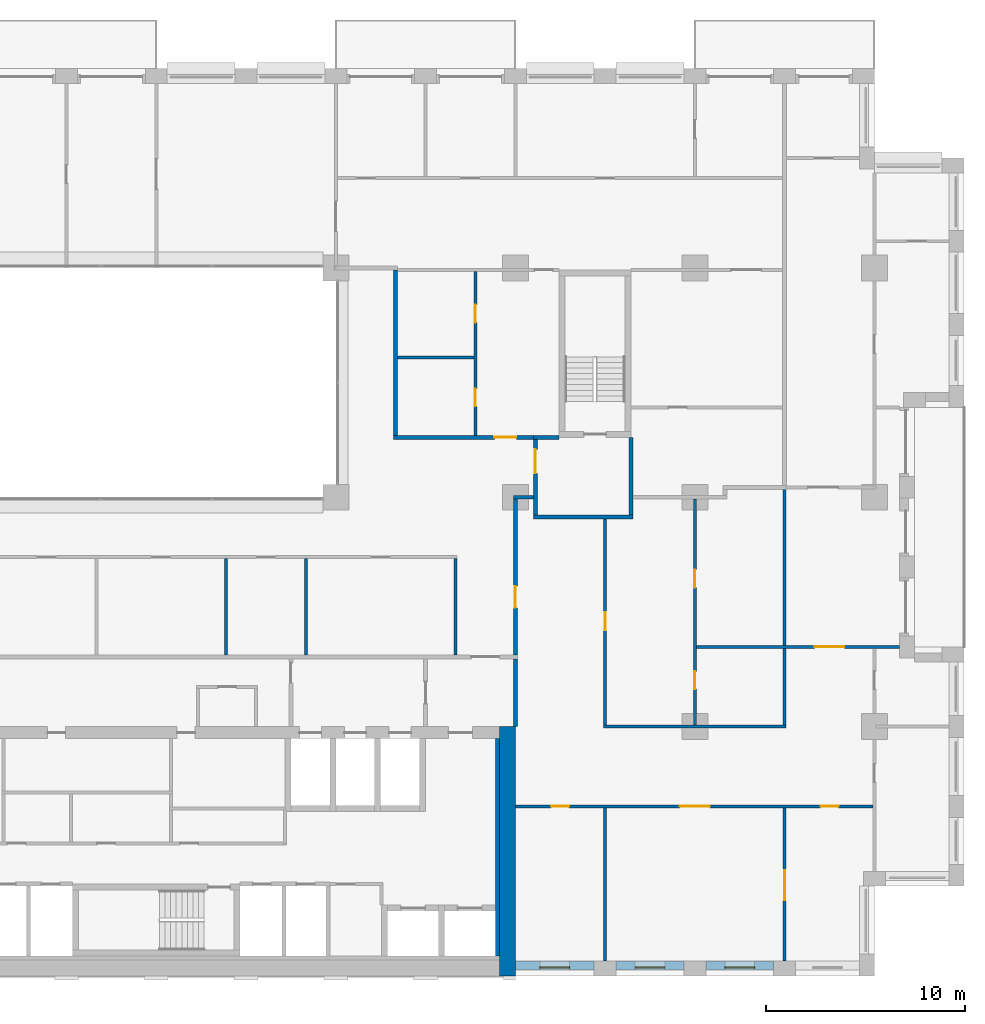
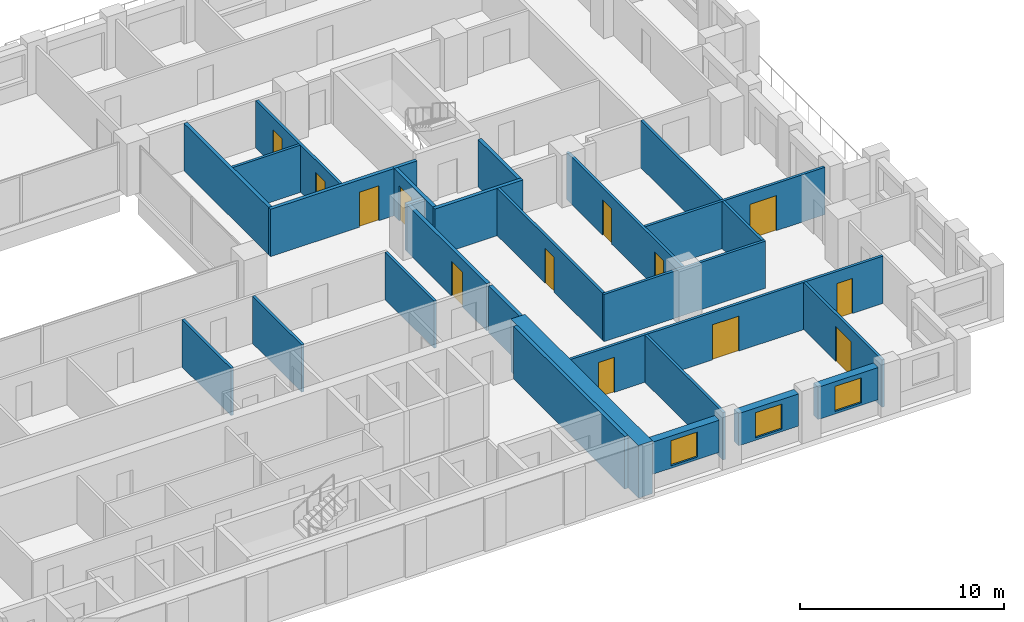
# One storey, part 11 of 16: 28 walls, 13 doors, 3 windows, 16 openings.
"""IFC4 building model written with IfcOpenShell, lengths in metres."""

from ifc_helpers import new_model, si_unit, direction, frame, frame_2d, origin, place, context, subcontext, project, spatial, rectangle, extrude, material, layer, layer_set, type_object, element, fill, save


model = new_model("IFC4")

# Units and contexts
model_context = context("Model", 3, precision=1e-05, world=origin(), true_north=direction((0.0, 1.0)))
body_context = subcontext(model_context, "Body", "Model", "MODEL_VIEW")
ifc_project = project(units=[si_unit("LENGTHUNIT", "METRE"), si_unit("AREAUNIT", "SQUARE_METRE"), si_unit("VOLUMEUNIT", "CUBIC_METRE"), si_unit("PLANEANGLEUNIT", "RADIAN"), si_unit("MASSUNIT", "GRAM", prefix="KILO")], contexts=[model_context])

# Site, building, storey
site_placement = place(None, origin())
site = spatial("IfcSite", under=ifc_project, at=site_placement, CompositionType="ELEMENT")
building_placement = place(site_placement, origin())
building = spatial("IfcBuilding", under=site, at=building_placement, Name="Brigalow Station Residences", CompositionType="ELEMENT")
storey_placement = place(building_placement, frame((0.0, 0.0, 121.35009765625)))
storey = spatial("IfcBuildingStorey", under=building, at=storey_placement, Name="L35", CompositionType="ELEMENT", Elevation=121.35009765625)

# Wall, opening, window
ifc_material_1 = material(Name="Clay brick masonry", Category="masonry")
ifc_layer_1 = layer(ifc_material_1, 0.449951171875)
ifc_layer_set_1 = layer_set([ifc_layer_1], Name="BRICK INFILL WALL 450")
wall_type_1 = type_object("IfcWallType", Name="BRICK INFILL WALL 450", PredefinedType="SOLIDWALL", material=ifc_layer_set_1)
wall_1_placement = place(storey_placement, frame((54.0, 0.52490234375, 0.89990234375), z_axis=(0.0, 0.0, 1.0), x_axis=(1.0, 0.0, 0.0)))
wall_1 = element("IfcWall", 1, at=wall_1_placement, inside=storey, type_object=wall_type_1, Name="L35/ewall/W-L35-4", PredefinedType="SOLIDWALL", context=body_context, shape_type="SweptSolid", body=[
    extrude(rectangle(XDim=3.949951171875, YDim=0.449951171875, at=frame_2d((1.97509765625, 0.0))), origin(), (0.0, 0.0, 1.0), 1.929931640625),
])
opening_1_placement = place(wall_1_placement, frame((1.22509765625, 0.0, 0.14990234375)))
opening_1 = element("IfcOpeningElement", 2, at=opening_1_placement, cuts=wall_1, Name="Opening WT-1", PredefinedType="OPENING", context=body_context, shape_type="SweptSolid", body=[
    extrude(rectangle(XDim=1.5, YDim=1.5, at=frame_2d((0.75, 0.75))), frame((0.0, 0.23486328125, 0.0), z_axis=(0.0, -1.0, 0.0), x_axis=(1.0, 0.0, 0.0)), (0.0, 0.0, 1.0), 0.469970703125),
])
ifc_material_2 = material(Name="Anodised aluminium frame with double glazing", Category="aluminium")
window_type = type_object("IfcWindowType", Name="WINDOW 1500x1500", PartitioningType="SINGLE_PANEL", PredefinedType="WINDOW", material=ifc_material_2)
window_1_placement = place(opening_1_placement, origin())
window_1 = element("IfcWindow", 3, at=window_1_placement, inside=storey, type_object=window_type, Name="L35/window/W-L35-4", OverallHeight=1.5, OverallWidth=1.5, PartitioningType="SINGLE_PANEL", PredefinedType="WINDOW", context=body_context, shape_type="SweptSolid", body=[
    extrude(rectangle(XDim=1.5, YDim=1.5, at=frame_2d((0.75, 0.75))), frame((0.0, -0.06494140625, 0.0), z_axis=(0.0, -1.0, 0.0), x_axis=(1.0, 0.0, 0.0)), (0.0, 0.0, 1.0), 0.06005859375),
])
fill(opening_1, window_1)

wall_2_placement = place(storey_placement, frame((59.050048828125, 0.52490234375, 0.89990234375), z_axis=(0.0, 0.0, 1.0), x_axis=(1.0, 0.0, 0.0)))
wall_2 = element("IfcWall", 4, at=wall_2_placement, inside=storey, type_object=wall_type_1, Name="L35/ewall/W-L35-5", PredefinedType="SOLIDWALL", context=body_context, shape_type="SweptSolid", body=[
    extrude(rectangle(XDim=3.39990234375, YDim=0.449951171875, at=frame_2d((1.699951171875, 0.0))), origin(), (0.0, 0.0, 1.0), 1.929931640625),
])
opening_2_placement = place(wall_2_placement, frame((0.949951171875, 0.0, 0.14990234375)))
opening_2 = element("IfcOpeningElement", 5, at=opening_2_placement, cuts=wall_2, Name="Opening WT-1", PredefinedType="OPENING", context=body_context, shape_type="SweptSolid", body=[
    extrude(rectangle(XDim=1.5, YDim=1.5, at=frame_2d((0.75, 0.75))), frame((0.0, 0.23486328125, 0.0), z_axis=(0.0, -1.0, 0.0), x_axis=(1.0, 0.0, 0.0)), (0.0, 0.0, 1.0), 0.469970703125),
])
window_2_placement = place(opening_2_placement, origin())
window_2 = element("IfcWindow", 6, at=window_2_placement, inside=storey, type_object=window_type, Name="L35/window/W-L35-5", OverallHeight=1.5, OverallWidth=1.5, PartitioningType="SINGLE_PANEL", PredefinedType="WINDOW", context=body_context, shape_type="SweptSolid", body=[
    extrude(rectangle(XDim=1.5, YDim=1.5, at=frame_2d((0.75, 0.75))), frame((0.0, -0.06494140625, 0.0), z_axis=(0.0, -1.0, 0.0), x_axis=(1.0, 0.0, 0.0)), (0.0, 0.0, 1.0), 0.06005859375),
])
fill(opening_2, window_2)

wall_3_placement = place(storey_placement, frame((63.550048828125, 0.52490234375, 0.89990234375), z_axis=(0.0, 0.0, 1.0), x_axis=(1.0, 0.0, 0.0)))
wall_3 = element("IfcWall", 7, at=wall_3_placement, inside=storey, type_object=wall_type_1, Name="L35/ewall/W-L35-6", PredefinedType="SOLIDWALL", context=body_context, shape_type="SweptSolid", body=[
    extrude(rectangle(XDim=3.39990234375, YDim=0.449951171875, at=frame_2d((1.699951171875, 0.0))), origin(), (0.0, 0.0, 1.0), 1.929931640625),
])
opening_3_placement = place(wall_3_placement, frame((0.949951171875, 0.0, 0.14990234375)))
opening_3 = element("IfcOpeningElement", 8, at=opening_3_placement, cuts=wall_3, Name="Opening WT-1", PredefinedType="OPENING", context=body_context, shape_type="SweptSolid", body=[
    extrude(rectangle(XDim=1.5, YDim=1.5, at=frame_2d((0.75, 0.75))), frame((0.0, 0.23486328125, 0.0), z_axis=(0.0, -1.0, 0.0), x_axis=(1.0, 0.0, 0.0)), (0.0, 0.0, 1.0), 0.469970703125),
])
window_3_placement = place(opening_3_placement, origin())
window_3 = element("IfcWindow", 9, at=window_3_placement, inside=storey, type_object=window_type, Name="L35/window/W-L35-6", OverallHeight=1.5, OverallWidth=1.5, PartitioningType="SINGLE_PANEL", PredefinedType="WINDOW", context=body_context, shape_type="SweptSolid", body=[
    extrude(rectangle(XDim=1.5, YDim=1.5, at=frame_2d((0.75, 0.75))), frame((0.0, -0.06494140625, 0.0), z_axis=(0.0, -1.0, 0.0), x_axis=(1.0, 0.0, 0.0)), (0.0, 0.0, 1.0), 0.06005859375),
])
fill(opening_3, window_3)

# Walls
ifc_material_3 = material(Name="Concrete C65", Category="concrete")
ifc_layer_2 = layer(ifc_material_3, 0.199951171875)
ifc_layer_set_2 = layer_set([ifc_layer_2], Name="CORE SHEAR WALL 200 C65")
wall_type_2 = type_object("IfcWallType", Name="CORE SHEAR WALL 200 C65", PredefinedType="SHEAR", material=ifc_layer_set_2)
wall_4_placement = place(storey_placement, frame((53.10009765625, 1.0, 0.0), z_axis=(0.0, 0.0, 1.0), x_axis=(0.0, 1.0, 0.0)))
element("IfcWall", 10, at=wall_4_placement, inside=storey, type_object=wall_type_2, Name="CORE WALL LIN-E L35", PredefinedType="SHEAR", context=body_context, shape_type="SweptSolid", body=[
    extrude(rectangle(XDim=10.89990234375, YDim=0.199951171875, at=frame_2d((5.449951171875, 0.0))), origin(), (0.0, 0.0, 1.0), 3.14990234375),
])
ifc_material_4 = material(Name="Concrete C65", Category="concrete")
ifc_layer_3 = layer(ifc_material_4, 0.800048828125)
ifc_layer_set_3 = layer_set([ifc_layer_3], Name="CORE SHEAR WALL 800 C65")
wall_type_3 = type_object("IfcWallType", Name="CORE SHEAR WALL 800 C65", PredefinedType="SHEAR", material=ifc_layer_set_3)
wall_5_placement = place(storey_placement, frame((53.60009765625, 0.0, 0.0), z_axis=(0.0, 0.0, 1.0), x_axis=(0.0, 1.0, 0.0)))
element("IfcWall", 11, at=wall_5_placement, inside=storey, type_object=wall_type_3, Name="CORE WALL OUT-E L35", PredefinedType="SHEAR", context=body_context, shape_type="SweptSolid", body=[
    extrude(rectangle(XDim=12.5, YDim=0.800048828125, at=frame_2d((6.25, 0.0))), origin(), (0.0, 0.0, 1.0), 3.14990234375),
])
ifc_material_5 = material(Name="Concrete blockwork", Category="masonry")
ifc_layer_4 = layer(ifc_material_5, 0.199951171875)
ifc_layer_set_4 = layer_set([ifc_layer_4], Name="FIRE RATED CORE PARTITION 200")
wall_type_4 = type_object("IfcWallType", Name="FIRE RATED CORE PARTITION 200", PredefinedType="PARTITIONING", material=ifc_layer_set_4)
wall_6_placement = place(storey_placement, frame((54.89990234375, 23.0, 0.0), z_axis=(0.0, 0.0, 1.0), x_axis=(1.0, 0.0, 0.0)))
element("IfcWall", 12, at=wall_6_placement, inside=storey, type_object=wall_type_4, Name="PW-5024", PredefinedType="PARTITIONING", context=body_context, shape_type="SweptSolid", body=[
    extrude(rectangle(XDim=5.0, YDim=0.199951171875, at=frame_2d((2.5, 0.0))), origin(), (0.0, 0.0, 1.0), 2.829833984375),
])
wall_7_placement = place(storey_placement, frame((54.89990234375, 27.0, 0.0), z_axis=(0.0, 0.0, 1.0), x_axis=(1.0, 0.0, 0.0)))
element("IfcWall", 13, at=wall_7_placement, inside=storey, type_object=wall_type_4, Name="PW-5026", PredefinedType="PARTITIONING", context=body_context, shape_type="SweptSolid", body=[
    extrude(rectangle(XDim=1.300048828125, YDim=0.199951171875, at=frame_2d((0.64990234375, 0.0))), origin(), (0.0, 0.0, 1.0), 2.829833984375),
])
wall_8_placement = place(storey_placement, frame((54.0, 12.5, 0.0), z_axis=(0.0, 0.0, 1.0), x_axis=(0.0, 1.0, 0.0)))
element("IfcWall", 14, at=wall_8_placement, inside=storey, type_object=wall_type_4, Name="PW-5016", PredefinedType="PARTITIONING", context=body_context, shape_type="SweptSolid", body=[
    extrude(rectangle(XDim=3.39990234375, YDim=0.199951171875, at=frame_2d((1.699951171875, 0.0))), origin(), (0.0, 0.0, 1.0), 2.829833984375),
])

# Wall, opening, door
wall_9_placement = place(storey_placement, frame((55.0, 23.10009765625, 0.0), z_axis=(0.0, 0.0, 1.0), x_axis=(0.0, 1.0, 0.0)))
wall_9 = element("IfcWall", 15, at=wall_9_placement, inside=storey, type_object=wall_type_4, Name="PW-5036", PredefinedType="PARTITIONING", context=body_context, shape_type="SweptSolid", body=[
    extrude(rectangle(XDim=3.7998046875, YDim=0.199951171875, at=frame_2d((1.89990234375, 0.0))), origin(), (0.0, 0.0, 1.0), 2.829833984375),
])
opening_4_placement = place(wall_9_placement, frame((2.10009765625, 0.0, 0.0)))
opening_4 = element("IfcOpeningElement", 16, at=opening_4_placement, cuts=wall_9, Name="Opening D-5019", PredefinedType="OPENING", context=body_context, shape_type="SweptSolid", body=[
    extrude(rectangle(XDim=1.199951171875, YDim=2.10009765625, at=frame_2d((0.60009765625, 1.050048828125))), frame((0.0, 0.10986328125, 0.0), z_axis=(0.0, -1.0, 0.0), x_axis=(1.0, 0.0, 0.0)), (0.0, 0.0, 1.0), 0.219970703125),
])
ifc_material_6 = material(Name="Steel fire door leaf in steel frame", Category="steel")
door_type_1 = type_object("IfcDoorType", Name="STAIR LOBBY DOOR 1200 x 2100 FD60S", OperationType="SINGLE_SWING_LEFT", PredefinedType="DOOR", material=ifc_material_6)
door_1_placement = place(opening_4_placement, frame((1.199951171875, 0.0, 0.0), z_axis=(0.0, 0.0, 1.0), x_axis=(-1.0, 0.0, 0.0)))
door_1 = element("IfcDoor", 17, at=door_1_placement, inside=storey, type_object=door_type_1, Name="D-5019", OperationType="SINGLE_SWING_LEFT", OverallHeight=2.10009765625, OverallWidth=1.199951171875, PredefinedType="DOOR", context=body_context, shape_type="SweptSolid", body=[
    extrude(rectangle(XDim=1.199951171875, YDim=2.10009765625, at=frame_2d((0.60009765625, 1.050048828125))), frame((0.0, 0.02490234375, 0.0), z_axis=(0.0, -1.0, 0.0), x_axis=(1.0, 0.0, 0.0)), (0.0, 0.0, 1.0), 0.050048828125),
])
fill(opening_4, door_1)

# Walls
wall_10_placement = place(storey_placement, frame((59.800048828125, 23.10009765625, 0.0), z_axis=(0.0, 0.0, 1.0), x_axis=(0.0, 1.0, 0.0)))
element("IfcWall", 18, at=wall_10_placement, inside=storey, type_object=wall_type_4, Name="PW-5037", PredefinedType="PARTITIONING", context=body_context, shape_type="SweptSolid", body=[
    extrude(rectangle(XDim=3.89990234375, YDim=0.199951171875, at=frame_2d((1.949951171875, 0.0))), origin(), (0.0, 0.0, 1.0), 2.829833984375),
])
ifc_material_7 = material(Name="Plasterboard on steel stud partition", Category="steel")
ifc_layer_5 = layer(ifc_material_7, 0.14990234375)
ifc_layer_set_5 = layer_set([ifc_layer_5], Name="FLAT PARTITION 150")
wall_type_5 = type_object("IfcWallType", Name="FLAT PARTITION 150", PredefinedType="PARTITIONING", material=ifc_layer_set_5)
wall_11_placement = place(storey_placement, frame((58.425048828125, 12.5, 0.0), z_axis=(0.0, 0.0, 1.0), x_axis=(1.0, 0.0, 0.0)))
element("IfcWall", 19, at=wall_11_placement, inside=storey, type_object=wall_type_5, Name="PW-2E12", PredefinedType="PARTITIONING", context=body_context, shape_type="SweptSolid", body=[
    extrude(rectangle(XDim=9.14990234375, YDim=0.14990234375, at=frame_2d((4.574951171875, 0.0))), origin(), (0.0, 0.0, 1.0), 2.829833984375),
])

# Wall, opening, door
wall_12_placement = place(storey_placement, frame((63.074951171875, 16.5, 0.0), z_axis=(0.0, 0.0, 1.0), x_axis=(1.0, 0.0, 0.0)))
wall_12 = element("IfcWall", 20, at=wall_12_placement, inside=storey, type_object=wall_type_5, Name="PW-2E15", PredefinedType="PARTITIONING", context=body_context, shape_type="SweptSolid", body=[
    extrude(rectangle(XDim=10.175048828125, YDim=0.14990234375, at=frame_2d((5.08740234375, 0.0))), origin(), (0.0, 0.0, 1.0), 2.829833984375),
])
opening_5_placement = place(wall_12_placement, frame((5.925048828125, 0.0, 0.0)))
opening_5 = element("IfcOpeningElement", 21, at=opening_5_placement, cuts=wall_12, Name="Opening D-2E40", PredefinedType="OPENING", context=body_context, shape_type="SweptSolid", body=[
    extrude(rectangle(XDim=1.5, YDim=2.10009765625, at=frame_2d((0.75, 1.050048828125))), frame((0.0, 0.0849609375, 0.0), z_axis=(0.0, -1.0, 0.0), x_axis=(1.0, 0.0, 0.0)), (0.0, 0.0, 1.0), 0.169921875),
])
ifc_material_8 = material(Name="Solid-core timber door leaf", Category="wood")
door_type_2 = type_object("IfcDoorType", Name="INTERNAL DOUBLE DOOR 1500 x 2100", OperationType="DOUBLE_DOOR_SINGLE_SWING", PredefinedType="DOOR", material=ifc_material_8)
door_2_placement = place(opening_5_placement, origin())
door_2 = element("IfcDoor", 22, at=door_2_placement, inside=storey, type_object=door_type_2, Name="D-2E40", OperationType="DOUBLE_DOOR_SINGLE_SWING", OverallHeight=2.10009765625, OverallWidth=1.5, PredefinedType="DOOR", context=body_context, shape_type="SweptSolid", body=[
    extrude(rectangle(XDim=1.5, YDim=2.10009765625, at=frame_2d((0.75, 1.050048828125))), frame((0.0, 0.02490234375, 0.0), z_axis=(0.0, -1.0, 0.0), x_axis=(1.0, 0.0, 0.0)), (0.0, 0.0, 1.0), 0.050048828125),
])
fill(opening_5, door_2)

# Wall, openings, doors
wall_13_placement = place(storey_placement, frame((54.0, 8.5, 0.0), z_axis=(0.0, 0.0, 1.0), x_axis=(1.0, 0.0, 0.0)))
wall_13 = element("IfcWall", 23, at=wall_13_placement, inside=storey, type_object=wall_type_5, Name="PW-2E17", PredefinedType="PARTITIONING", context=body_context, shape_type="SweptSolid", body=[
    extrude(rectangle(XDim=17.925048828125, YDim=0.14990234375, at=frame_2d((8.96240234375, 0.0))), origin(), (0.0, 0.0, 1.0), 2.829833984375),
])
opening_6_placement = place(wall_13_placement, frame((1.800048828125, 0.0, 0.0)))
opening_6 = element("IfcOpeningElement", 24, at=opening_6_placement, cuts=wall_13, Name="Opening D-2E31", PredefinedType="OPENING", context=body_context, shape_type="SweptSolid", body=[
    extrude(rectangle(XDim=0.89990234375, YDim=2.10009765625, at=frame_2d((0.449951171875, 1.050048828125))), frame((0.0, 0.0849609375, 0.0), z_axis=(0.0, -1.0, 0.0), x_axis=(1.0, 0.0, 0.0)), (0.0, 0.0, 1.0), 0.169921875),
])
opening_7_placement = place(wall_13_placement, frame((8.25, 0.0, 0.0)))
opening_7 = element("IfcOpeningElement", 25, at=opening_7_placement, cuts=wall_13, Name="Opening D-2E32", PredefinedType="OPENING", context=body_context, shape_type="SweptSolid", body=[
    extrude(rectangle(XDim=1.5, YDim=2.10009765625, at=frame_2d((0.75, 1.050048828125))), frame((0.0, 0.0849609375, 0.0), z_axis=(0.0, -1.0, 0.0), x_axis=(1.0, 0.0, 0.0)), (0.0, 0.0, 1.0), 0.169921875),
])
opening_8_placement = place(wall_13_placement, frame((15.300048828125, 0.0, 0.0)))
opening_8 = element("IfcOpeningElement", 26, at=opening_8_placement, cuts=wall_13, Name="Opening D-2E33", PredefinedType="OPENING", context=body_context, shape_type="SweptSolid", body=[
    extrude(rectangle(XDim=0.89990234375, YDim=2.10009765625, at=frame_2d((0.449951171875, 1.050048828125))), frame((0.0, 0.0849609375, 0.0), z_axis=(0.0, -1.0, 0.0), x_axis=(1.0, 0.0, 0.0)), (0.0, 0.0, 1.0), 0.169921875),
])
ifc_material_9 = material(Name="Solid-core timber door leaf", Category="wood")
door_type_3 = type_object("IfcDoorType", Name="INTERNAL DOOR 900 x 2100", OperationType="SINGLE_SWING_LEFT", PredefinedType="DOOR", material=ifc_material_9)
door_3_placement = place(opening_6_placement, frame((0.89990234375, 0.0, 0.0), z_axis=(0.0, 0.0, 1.0), x_axis=(-1.0, 0.0, 0.0)))
door_3 = element("IfcDoor", 27, at=door_3_placement, inside=storey, type_object=door_type_3, Name="D-2E31", OperationType="SINGLE_SWING_LEFT", OverallHeight=2.10009765625, OverallWidth=0.89990234375, PredefinedType="DOOR", context=body_context, shape_type="SweptSolid", body=[
    extrude(rectangle(XDim=0.89990234375, YDim=2.10009765625, at=frame_2d((0.449951171875, 1.050048828125))), frame((0.0, 0.02490234375, 0.0), z_axis=(0.0, -1.0, 0.0), x_axis=(1.0, 0.0, 0.0)), (0.0, 0.0, 1.0), 0.050048828125),
])
fill(opening_6, door_3)
door_4_placement = place(opening_8_placement, frame((0.89990234375, 0.0, 0.0), z_axis=(0.0, 0.0, 1.0), x_axis=(-1.0, 0.0, 0.0)))
door_4 = element("IfcDoor", 28, at=door_4_placement, inside=storey, type_object=door_type_3, Name="D-2E33", OperationType="SINGLE_SWING_RIGHT", OverallHeight=2.10009765625, OverallWidth=0.89990234375, PredefinedType="DOOR", context=body_context, shape_type="SweptSolid", body=[
    extrude(rectangle(XDim=0.89990234375, YDim=2.10009765625, at=frame_2d((0.449951171875, 1.050048828125))), frame((0.0, 0.02490234375, 0.0), z_axis=(0.0, -1.0, 0.0), x_axis=(1.0, 0.0, 0.0)), (0.0, 0.0, 1.0), 0.050048828125),
])
fill(opening_8, door_4)
door_5_placement = place(opening_7_placement, frame((1.5, 0.0, 0.0), z_axis=(0.0, 0.0, 1.0), x_axis=(-1.0, 0.0, 0.0)))
door_5 = element("IfcDoor", 29, at=door_5_placement, inside=storey, type_object=door_type_2, Name="D-2E32", OperationType="DOUBLE_DOOR_SINGLE_SWING", OverallHeight=2.10009765625, OverallWidth=1.5, PredefinedType="DOOR", context=body_context, shape_type="SweptSolid", body=[
    extrude(rectangle(XDim=1.5, YDim=2.10009765625, at=frame_2d((0.75, 1.050048828125))), frame((0.0, 0.02490234375, 0.0), z_axis=(0.0, -1.0, 0.0), x_axis=(1.0, 0.0, 0.0)), (0.0, 0.0, 1.0), 0.050048828125),
])
fill(opening_7, door_5)

# Walls
wall_14_placement = place(storey_placement, frame((48.10009765625, 31.0, 0.0), z_axis=(0.0, 0.0, 1.0), x_axis=(1.0, 0.0, 0.0)))
element("IfcWall", 30, at=wall_14_placement, inside=storey, type_object=wall_type_5, Name="PW-2E32", PredefinedType="PARTITIONING", context=body_context, shape_type="SweptSolid", body=[
    extrude(rectangle(XDim=3.824951171875, YDim=0.14990234375, at=frame_2d((1.91259765625, 0.0))), origin(), (0.0, 0.0, 1.0), 2.829833984375),
])
wall_15_placement = place(storey_placement, frame((51.0, 16.10009765625, 0.0), z_axis=(0.0, 0.0, 1.0), x_axis=(0.0, 1.0, 0.0)))
element("IfcWall", 31, at=wall_15_placement, inside=storey, type_object=wall_type_5, Name="PW-2E39", PredefinedType="PARTITIONING", context=body_context, shape_type="SweptSolid", body=[
    extrude(rectangle(XDim=4.824951171875, YDim=0.14990234375, at=frame_2d((2.41259765625, 0.0))), origin(), (0.0, 0.0, 1.0), 2.829833984375),
])

# Wall, openings, doors
wall_16_placement = place(storey_placement, frame((52.0, 27.10009765625, 0.0), z_axis=(0.0, 0.0, 1.0), x_axis=(0.0, 1.0, 0.0)))
wall_16 = element("IfcWall", 32, at=wall_16_placement, inside=storey, type_object=wall_type_5, Name="PW-2E50", PredefinedType="PARTITIONING", context=body_context, shape_type="SweptSolid", body=[
    extrude(rectangle(XDim=8.224853515625, YDim=0.14990234375, at=frame_2d((4.1123046875, 0.0))), origin(), (0.0, 0.0, 1.0), 2.829833984375),
])
opening_9_placement = place(wall_16_placement, frame((1.449951171875, 0.0, 0.0)))
opening_9 = element("IfcOpeningElement", 33, at=opening_9_placement, cuts=wall_16, Name="Opening D-2E18", PredefinedType="OPENING", context=body_context, shape_type="SweptSolid", body=[
    extrude(rectangle(XDim=0.89990234375, YDim=2.10009765625, at=frame_2d((0.449951171875, 1.050048828125))), frame((0.0, 0.0849609375, 0.0), z_axis=(0.0, -1.0, 0.0), x_axis=(1.0, 0.0, 0.0)), (0.0, 0.0, 1.0), 0.169921875),
])
opening_10_placement = place(wall_16_placement, frame((5.64990234375, 0.0, 0.0)))
opening_10 = element("IfcOpeningElement", 34, at=opening_10_placement, cuts=wall_16, Name="Opening D-2E19", PredefinedType="OPENING", context=body_context, shape_type="SweptSolid", body=[
    extrude(rectangle(XDim=0.89990234375, YDim=2.10009765625, at=frame_2d((0.449951171875, 1.050048828125))), frame((0.0, 0.0849609375, 0.0), z_axis=(0.0, -1.0, 0.0), x_axis=(1.0, 0.0, 0.0)), (0.0, 0.0, 1.0), 0.169921875),
])
door_6_placement = place(opening_9_placement, origin())
door_6 = element("IfcDoor", 35, at=door_6_placement, inside=storey, type_object=door_type_3, Name="D-2E18", OperationType="SINGLE_SWING_LEFT", OverallHeight=2.10009765625, OverallWidth=0.89990234375, PredefinedType="DOOR", context=body_context, shape_type="SweptSolid", body=[
    extrude(rectangle(XDim=0.89990234375, YDim=2.10009765625, at=frame_2d((0.449951171875, 1.050048828125))), frame((0.0, 0.02490234375, 0.0), z_axis=(0.0, -1.0, 0.0), x_axis=(1.0, 0.0, 0.0)), (0.0, 0.0, 1.0), 0.050048828125),
])
fill(opening_9, door_6)
door_7_placement = place(opening_10_placement, origin())
door_7 = element("IfcDoor", 36, at=door_7_placement, inside=storey, type_object=door_type_3, Name="D-2E19", OperationType="SINGLE_SWING_RIGHT", OverallHeight=2.10009765625, OverallWidth=0.89990234375, PredefinedType="DOOR", context=body_context, shape_type="SweptSolid", body=[
    extrude(rectangle(XDim=0.89990234375, YDim=2.10009765625, at=frame_2d((0.449951171875, 1.050048828125))), frame((0.0, 0.02490234375, 0.0), z_axis=(0.0, -1.0, 0.0), x_axis=(1.0, 0.0, 0.0)), (0.0, 0.0, 1.0), 0.050048828125),
])
fill(opening_10, door_7)

# Wall, opening, door
wall_17_placement = place(storey_placement, frame((67.5, 0.75, 0.0), z_axis=(0.0, 0.0, 1.0), x_axis=(0.0, 1.0, 0.0)))
wall_17 = element("IfcWall", 37, at=wall_17_placement, inside=storey, type_object=wall_type_5, Name="PW-2E54", PredefinedType="PARTITIONING", context=body_context, shape_type="SweptSolid", body=[
    extrude(rectangle(XDim=7.675048828125, YDim=0.14990234375, at=frame_2d((3.83740234375, 0.0))), origin(), (0.0, 0.0, 1.0), 2.829833984375),
])
opening_11_placement = place(wall_17_placement, frame((3.050048828125, 0.0, 0.0)))
opening_11 = element("IfcOpeningElement", 38, at=opening_11_placement, cuts=wall_17, Name="Opening D-2E34", PredefinedType="OPENING", context=body_context, shape_type="SweptSolid", body=[
    extrude(rectangle(XDim=1.5, YDim=2.10009765625, at=frame_2d((0.75, 1.050048828125))), frame((0.0, 0.0849609375, 0.0), z_axis=(0.0, -1.0, 0.0), x_axis=(1.0, 0.0, 0.0)), (0.0, 0.0, 1.0), 0.169921875),
])
door_8_placement = place(opening_11_placement, frame((1.5, 0.0, 0.0), z_axis=(0.0, 0.0, 1.0), x_axis=(-1.0, 0.0, 0.0)))
door_8 = element("IfcDoor", 39, at=door_8_placement, inside=storey, type_object=door_type_2, Name="D-2E34", OperationType="DOUBLE_DOOR_SINGLE_SWING", OverallHeight=2.10009765625, OverallWidth=1.5, PredefinedType="DOOR", context=body_context, shape_type="SweptSolid", body=[
    extrude(rectangle(XDim=1.5, YDim=2.10009765625, at=frame_2d((0.75, 1.050048828125))), frame((0.0, 0.02490234375, 0.0), z_axis=(0.0, -1.0, 0.0), x_axis=(1.0, 0.0, 0.0)), (0.0, 0.0, 1.0), 0.050048828125),
])
fill(opening_11, door_8)

# Walls
wall_18_placement = place(storey_placement, frame((67.5, 12.574951171875, 0.0), z_axis=(0.0, 0.0, 1.0), x_axis=(0.0, 1.0, 0.0)))
element("IfcWall", 40, at=wall_18_placement, inside=storey, type_object=wall_type_5, Name="PW-2E55", PredefinedType="PARTITIONING", context=body_context, shape_type="SweptSolid", body=[
    extrude(rectangle(XDim=3.85009765625, YDim=0.14990234375, at=frame_2d((1.925048828125, 0.0))), origin(), (0.0, 0.0, 1.0), 2.829833984375),
])
wall_19_placement = place(storey_placement, frame((67.5, 16.574951171875, 0.0), z_axis=(0.0, 0.0, 1.0), x_axis=(0.0, 1.0, 0.0)))
element("IfcWall", 41, at=wall_19_placement, inside=storey, type_object=wall_type_5, Name="PW-2E56", PredefinedType="PARTITIONING", context=body_context, shape_type="SweptSolid", body=[
    extrude(rectangle(XDim=7.85009765625, YDim=0.14990234375, at=frame_2d((3.925048828125, 0.0))), origin(), (0.0, 0.0, 1.0), 2.829833984375),
])

# Wall, openings, doors
wall_20_placement = place(storey_placement, frame((63.0, 12.574951171875, 0.0), z_axis=(0.0, 0.0, 1.0), x_axis=(0.0, 1.0, 0.0)))
wall_20 = element("IfcWall", 42, at=wall_20_placement, inside=storey, type_object=wall_type_5, Name="PW-2E59", PredefinedType="PARTITIONING", context=body_context, shape_type="SweptSolid", body=[
    extrude(rectangle(XDim=11.324951171875, YDim=0.14990234375, at=frame_2d((5.66259765625, 0.0))), origin(), (0.0, 0.0, 1.0), 2.829833984375),
])
opening_12_placement = place(wall_20_placement, frame((1.800048828125, 0.0, 0.0)))
opening_12 = element("IfcOpeningElement", 43, at=opening_12_placement, cuts=wall_20, Name="Opening D-2E37", PredefinedType="OPENING", context=body_context, shape_type="SweptSolid", body=[
    extrude(rectangle(XDim=0.89990234375, YDim=2.10009765625, at=frame_2d((0.449951171875, 1.050048828125))), frame((0.0, 0.0849609375, 0.0), z_axis=(0.0, -1.0, 0.0), x_axis=(1.0, 0.0, 0.0)), (0.0, 0.0, 1.0), 0.169921875),
])
opening_13_placement = place(wall_20_placement, frame((6.89990234375, 0.0, 0.0)))
opening_13 = element("IfcOpeningElement", 44, at=opening_13_placement, cuts=wall_20, Name="Opening D-2E38", PredefinedType="OPENING", context=body_context, shape_type="SweptSolid", body=[
    extrude(rectangle(XDim=0.89990234375, YDim=2.10009765625, at=frame_2d((0.449951171875, 1.050048828125))), frame((0.0, 0.0849609375, 0.0), z_axis=(0.0, -1.0, 0.0), x_axis=(1.0, 0.0, 0.0)), (0.0, 0.0, 1.0), 0.169921875),
])
door_9_placement = place(opening_12_placement, frame((0.89990234375, 0.0, 0.0), z_axis=(0.0, 0.0, 1.0), x_axis=(-1.0, 0.0, 0.0)))
door_9 = element("IfcDoor", 45, at=door_9_placement, inside=storey, type_object=door_type_3, Name="D-2E37", OperationType="SINGLE_SWING_LEFT", OverallHeight=2.10009765625, OverallWidth=0.89990234375, PredefinedType="DOOR", context=body_context, shape_type="SweptSolid", body=[
    extrude(rectangle(XDim=0.89990234375, YDim=2.10009765625, at=frame_2d((0.449951171875, 1.050048828125))), frame((0.0, 0.02490234375, 0.0), z_axis=(0.0, -1.0, 0.0), x_axis=(1.0, 0.0, 0.0)), (0.0, 0.0, 1.0), 0.050048828125),
])
fill(opening_12, door_9)
door_10_placement = place(opening_13_placement, frame((0.89990234375, 0.0, 0.0), z_axis=(0.0, 0.0, 1.0), x_axis=(-1.0, 0.0, 0.0)))
door_10 = element("IfcDoor", 46, at=door_10_placement, inside=storey, type_object=door_type_3, Name="D-2E38", OperationType="SINGLE_SWING_RIGHT", OverallHeight=2.10009765625, OverallWidth=0.89990234375, PredefinedType="DOOR", context=body_context, shape_type="SweptSolid", body=[
    extrude(rectangle(XDim=0.89990234375, YDim=2.10009765625, at=frame_2d((0.449951171875, 1.050048828125))), frame((0.0, 0.02490234375, 0.0), z_axis=(0.0, -1.0, 0.0), x_axis=(1.0, 0.0, 0.0)), (0.0, 0.0, 1.0), 0.050048828125),
])
fill(opening_13, door_10)

# Wall
wall_21_placement = place(storey_placement, frame((58.5, 0.75, 0.0), z_axis=(0.0, 0.0, 1.0), x_axis=(0.0, 1.0, 0.0)))
element("IfcWall", 47, at=wall_21_placement, inside=storey, type_object=wall_type_5, Name="PW-2E62", PredefinedType="PARTITIONING", context=body_context, shape_type="SweptSolid", body=[
    extrude(rectangle(XDim=7.675048828125, YDim=0.14990234375, at=frame_2d((3.83740234375, 0.0))), origin(), (0.0, 0.0, 1.0), 2.829833984375),
])

# Wall, opening, door
wall_22_placement = place(storey_placement, frame((58.5, 12.574951171875, 0.0), z_axis=(0.0, 0.0, 1.0), x_axis=(0.0, 1.0, 0.0)))
wall_22 = element("IfcWall", 48, at=wall_22_placement, inside=storey, type_object=wall_type_5, Name="PW-2E63", PredefinedType="PARTITIONING", context=body_context, shape_type="SweptSolid", body=[
    extrude(rectangle(XDim=10.324951171875, YDim=0.14990234375, at=frame_2d((5.16259765625, 0.0))), origin(), (0.0, 0.0, 1.0), 2.829833984375),
])
opening_14_placement = place(wall_22_placement, frame((4.75, 0.0, 0.0)))
opening_14 = element("IfcOpeningElement", 49, at=opening_14_placement, cuts=wall_22, Name="Opening D-2E36", PredefinedType="OPENING", context=body_context, shape_type="SweptSolid", body=[
    extrude(rectangle(XDim=0.89990234375, YDim=2.10009765625, at=frame_2d((0.449951171875, 1.050048828125))), frame((0.0, 0.0849609375, 0.0), z_axis=(0.0, -1.0, 0.0), x_axis=(1.0, 0.0, 0.0)), (0.0, 0.0, 1.0), 0.169921875),
])
door_11_placement = place(opening_14_placement, frame((0.89990234375, 0.0, 0.0), z_axis=(0.0, 0.0, 1.0), x_axis=(-1.0, 0.0, 0.0)))
door_11 = element("IfcDoor", 50, at=door_11_placement, inside=storey, type_object=door_type_3, Name="D-2E36", OperationType="SINGLE_SWING_LEFT", OverallHeight=2.10009765625, OverallWidth=0.89990234375, PredefinedType="DOOR", context=body_context, shape_type="SweptSolid", body=[
    extrude(rectangle(XDim=0.89990234375, YDim=2.10009765625, at=frame_2d((0.449951171875, 1.050048828125))), frame((0.0, 0.02490234375, 0.0), z_axis=(0.0, -1.0, 0.0), x_axis=(1.0, 0.0, 0.0)), (0.0, 0.0, 1.0), 0.050048828125),
])
fill(opening_14, door_11)

# Walls
for number, where, z_axis, x_axis, name in (
    (51, (39.5, 16.10009765625, 0.0), (0.0, 0.0, 1.0), (0.0, 1.0, 0.0), "PW-2E68"),
    (52, (43.5, 16.10009765625, 0.0), (0.0, 0.0, 1.0), (0.0, 1.0, 0.0), "PW-2E69"),
):
    element("IfcWall", number, at=place(storey_placement, frame(where, z_axis=z_axis, x_axis=x_axis)), inside=storey, type_object=wall_type_5, Name=name, PredefinedType="PARTITIONING", context=body_context, shape_type="SweptSolid", body=[
        extrude(rectangle(XDim=4.824951171875, YDim=0.14990234375, at=frame_2d((2.41259765625, 0.0))), origin(), (0.0, 0.0, 1.0), 2.829833984375),
    ])
ifc_material_10 = material(Name="Plasterboard on steel stud partition", Category="steel")
ifc_layer_6 = layer(ifc_material_10, 0.199951171875)
ifc_layer_set_6 = layer_set([ifc_layer_6], Name="PARTY AND CORRIDOR WALL 200")
wall_type_6 = type_object("IfcWallType", Name="PARTY AND CORRIDOR WALL 200", PredefinedType="PARTITIONING", material=ifc_layer_set_6)
wall_23_placement = place(storey_placement, frame((53.89990234375, 24.0, 0.0), z_axis=(0.0, 0.0, 1.0), x_axis=(1.0, 0.0, 0.0)))
element("IfcWall", 53, at=wall_23_placement, inside=storey, type_object=wall_type_6, Name="PW-2E03", PredefinedType="PARTITIONING", context=body_context, shape_type="SweptSolid", body=[
    extrude(rectangle(XDim=1.0, YDim=0.199951171875, at=frame_2d((0.5, 0.0))), origin(), (0.0, 0.0, 1.0), 2.829833984375),
])

# Wall, opening, door
wall_24_placement = place(storey_placement, frame((47.89990234375, 27.0, 0.0), z_axis=(0.0, 0.0, 1.0), x_axis=(1.0, 0.0, 0.0)))
wall_24 = element("IfcWall", 54, at=wall_24_placement, inside=storey, type_object=wall_type_6, Name="PW-2E06", PredefinedType="PARTITIONING", context=body_context, shape_type="SweptSolid", body=[
    extrude(rectangle(XDim=7.0, YDim=0.199951171875, at=frame_2d((3.5, 0.0))), origin(), (0.0, 0.0, 1.0), 2.829833984375),
])
opening_15_placement = place(wall_24_placement, frame((5.050048828125, 0.0, 0.0)))
opening_15 = element("IfcOpeningElement", 55, at=opening_15_placement, cuts=wall_24, Name="Opening D-2E17", PredefinedType="OPENING", context=body_context, shape_type="SweptSolid", body=[
    extrude(rectangle(XDim=1.10009765625, YDim=2.10009765625, at=frame_2d((0.550048828125, 1.050048828125))), frame((0.0, 0.10986328125, 0.0), z_axis=(0.0, -1.0, 0.0), x_axis=(1.0, 0.0, 0.0)), (0.0, 0.0, 1.0), 0.219970703125),
])
ifc_material_11 = material(Name="Solid-core timber door leaf", Category="wood")
door_type_4 = type_object("IfcDoorType", Name="FLAT ENTRANCE DOOR 1100 x 2100 FRL -/60/30", OperationType="SINGLE_SWING_LEFT", PredefinedType="DOOR", material=ifc_material_11)
door_12_placement = place(opening_15_placement, origin())
door_12 = element("IfcDoor", 56, at=door_12_placement, inside=storey, type_object=door_type_4, Name="D-2E17", OperationType="SINGLE_SWING_LEFT", OverallHeight=2.10009765625, OverallWidth=1.10009765625, PredefinedType="DOOR", context=body_context, shape_type="SweptSolid", body=[
    extrude(rectangle(XDim=1.10009765625, YDim=2.10009765625, at=frame_2d((0.550048828125, 1.050048828125))), frame((0.0, 0.02490234375, 0.0), z_axis=(0.0, -1.0, 0.0), x_axis=(1.0, 0.0, 0.0)), (0.0, 0.0, 1.0), 0.050048828125),
])
fill(opening_15, door_12)

wall_25_placement = place(storey_placement, frame((54.0, 16.10009765625, 0.0), z_axis=(0.0, 0.0, 1.0), x_axis=(0.0, 1.0, 0.0)))
wall_25 = element("IfcWall", 57, at=wall_25_placement, inside=storey, type_object=wall_type_6, Name="PW-2E37", PredefinedType="PARTITIONING", context=body_context, shape_type="SweptSolid", body=[
    extrude(rectangle(XDim=7.7998046875, YDim=0.199951171875, at=frame_2d((3.89990234375, 0.0))), origin(), (0.0, 0.0, 1.0), 2.829833984375),
])
opening_16_placement = place(wall_25_placement, frame((2.35009765625, 0.0, 0.0)))
opening_16 = element("IfcOpeningElement", 58, at=opening_16_placement, cuts=wall_25, Name="Opening D-2E30", PredefinedType="OPENING", context=body_context, shape_type="SweptSolid", body=[
    extrude(rectangle(XDim=1.10009765625, YDim=2.10009765625, at=frame_2d((0.550048828125, 1.050048828125))), frame((0.0, 0.10986328125, 0.0), z_axis=(0.0, -1.0, 0.0), x_axis=(1.0, 0.0, 0.0)), (0.0, 0.0, 1.0), 0.219970703125),
])
door_13_placement = place(opening_16_placement, frame((1.10009765625, 0.0, 0.0), z_axis=(0.0, 0.0, 1.0), x_axis=(-1.0, 0.0, 0.0)))
door_13 = element("IfcDoor", 59, at=door_13_placement, inside=storey, type_object=door_type_4, Name="D-2E30", OperationType="SINGLE_SWING_LEFT", OverallHeight=2.10009765625, OverallWidth=1.10009765625, PredefinedType="DOOR", context=body_context, shape_type="SweptSolid", body=[
    extrude(rectangle(XDim=1.10009765625, YDim=2.10009765625, at=frame_2d((0.550048828125, 1.050048828125))), frame((0.0, 0.02490234375, 0.0), z_axis=(0.0, -1.0, 0.0), x_axis=(1.0, 0.0, 0.0)), (0.0, 0.0, 1.0), 0.050048828125),
])
fill(opening_16, door_13)

# Wall
wall_26_placement = place(storey_placement, frame((48.0, 27.10009765625, 0.0), z_axis=(0.0, 0.0, 1.0), x_axis=(0.0, 1.0, 0.0)))
element("IfcWall", 60, at=wall_26_placement, inside=storey, type_object=wall_type_6, Name="PW-2E41", PredefinedType="PARTITIONING", context=body_context, shape_type="SweptSolid", body=[
    extrude(rectangle(XDim=8.2998046875, YDim=0.199951171875, at=frame_2d((4.14990234375, 0.0))), origin(), (0.0, 0.0, 1.0), 2.829833984375),
])

save(model, "model.ifc")
